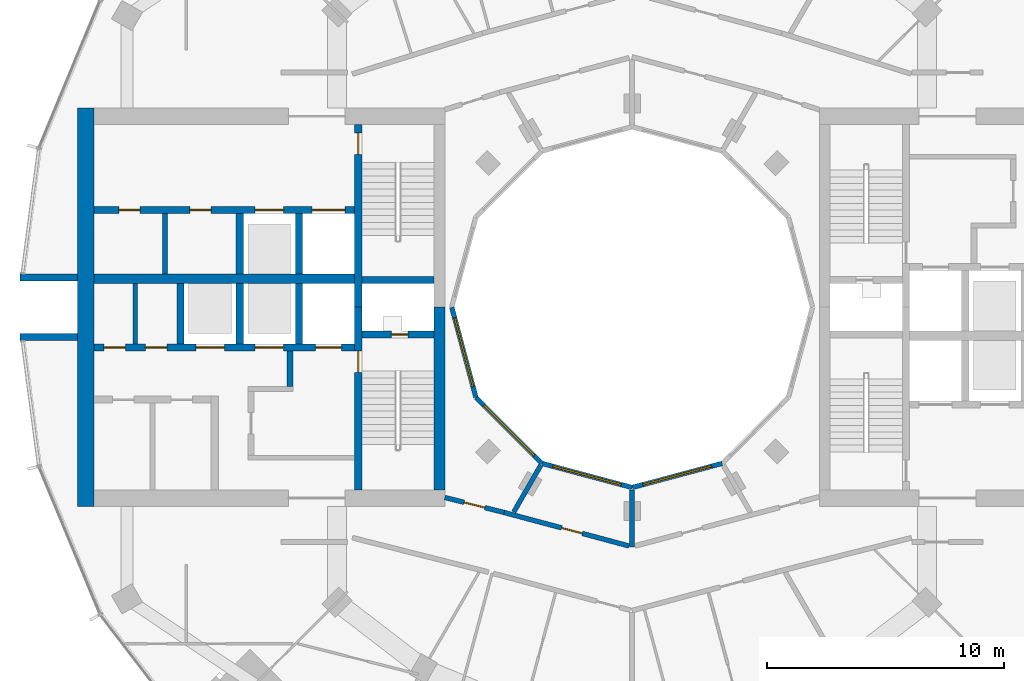
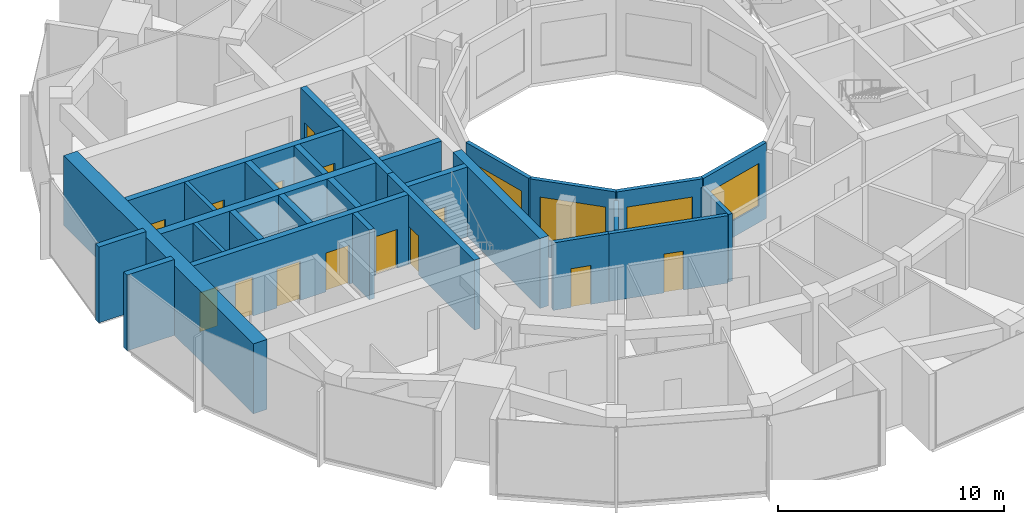
# One storey, part 9 of 15: 27 walls, 14 doors, 4 windows, 18 openings.
"""IFC4 building model written with IfcOpenShell, lengths in metres."""

from ifc_helpers import new_model, si_unit, direction, frame, frame_2d, origin, place, context, subcontext, project, spatial, rectangle, extrude, material, layer, layer_set, type_object, element, fill, save


model = new_model("IFC4")

# Units and contexts
model_context = context("Model", 3, precision=1e-05, world=origin(), true_north=direction((0.0, 1.0)))
body_context = subcontext(model_context, "Body", "Model", "MODEL_VIEW")
ifc_project = project(units=[si_unit("LENGTHUNIT", "METRE"), si_unit("AREAUNIT", "SQUARE_METRE"), si_unit("VOLUMEUNIT", "CUBIC_METRE"), si_unit("PLANEANGLEUNIT", "RADIAN"), si_unit("MASSUNIT", "GRAM", prefix="KILO")], contexts=[model_context])

# Site, building, storey
site_placement = place(None, origin())
site = spatial("IfcSite", under=ifc_project, at=site_placement, CompositionType="ELEMENT")
building_placement = place(site_placement, origin())
building = spatial("IfcBuilding", under=site, at=building_placement, Name="Torre Brocal", CompositionType="ELEMENT")
storey_placement = place(building_placement, frame((0.0, 0.0, 157.699951171875)))
storey = spatial("IfcBuildingStorey", under=building, at=storey_placement, Name="L36", CompositionType="ELEMENT", Elevation=157.699951171875)

# Walls
ifc_material_1 = material(Name="Masonry block", Category="masonry")
ifc_layer_1 = layer(ifc_material_1, 0.199951171875)
ifc_layer_set_1 = layer_set([ifc_layer_1], Name="Masonry block")
wall_type_1 = type_object("IfcWallType", Name="CORE PARTITION 200", PredefinedType="PARTITIONING", material=ifc_layer_set_1)
for number, where, z_axis, x_axis, name in (
    (1, (59.050048828125, 76.0, 0.0), (0.0, 0.0, 1.0), (0.0, -1.0, 0.0), "Wall CP200"),
    (2, (60.300048828125, 78.949951171875, 0.0), (0.0, 0.0, 1.0), (0.0, -1.0, 0.0), "Wall CP200"),
):
    element("IfcWall", number, at=place(storey_placement, frame(where, z_axis=z_axis, x_axis=x_axis)), inside=storey, type_object=wall_type_1, Name=name, PredefinedType="PARTITIONING", context=body_context, shape_type="SweptSolid", body=[
        extrude(rectangle(XDim=2.550048828125, YDim=0.199951171875, at=frame_2d((1.27490234375, 0.0))), origin(), (0.0, 0.0, 1.0), 3.780029296875),
    ])
ifc_material_2 = material(Name="Concrete C70", Category="concrete")
ifc_layer_2 = layer(ifc_material_2, 0.25)
ifc_layer_set_2 = layer_set([ifc_layer_2], Name="Concrete C70")
wall_type_2 = type_object("IfcWallType", Name="CORE WALL 250 C70", PredefinedType="SHEAR", material=ifc_layer_set_2)
wall_1_placement = place(storey_placement, frame((65.574951171875, 73.14990234375, 0.0), z_axis=(0.0, 0.0, 1.0), x_axis=(0.0, -1.0, 0.0)))
element("IfcWall", 3, at=wall_1_placement, inside=storey, type_object=wall_type_2, Name="Wall CW250-70", PredefinedType="SHEAR", context=body_context, shape_type="SweptSolid", body=[
    extrude(rectangle(XDim=1.5, YDim=0.25, at=frame_2d((0.75, 0.0))), origin(), (0.0, 0.0, 1.0), 3.780029296875),
])

# Wall, opening, door
ifc_material_3 = material(Name="Concrete C70", Category="concrete")
ifc_layer_3 = layer(ifc_material_3, 0.300048828125)
ifc_layer_set_3 = layer_set([ifc_layer_3], Name="Concrete C70")
wall_type_3 = type_object("IfcWallType", Name="CORE WALL 300 C70", PredefinedType="SHEAR", material=ifc_layer_set_3)
wall_2_placement = place(storey_placement, frame((68.449951171875, 75.0, 0.0), z_axis=(0.0, 0.0, 1.0), x_axis=(0.0, -1.0, 0.0)))
wall_2 = element("IfcWall", 4, at=wall_2_placement, inside=storey, type_object=wall_type_3, Name="Wall CW300-70", PredefinedType="SHEAR", context=body_context, shape_type="SweptSolid", body=[
    extrude(rectangle(XDim=7.699951171875, YDim=0.300048828125, at=frame_2d((3.85009765625, 0.0))), origin(), (0.0, 0.0, 1.0), 3.780029296875),
])
opening_1_placement = place(wall_2_placement, frame((1.85009765625, 0.0, 0.0)))
opening_1 = element("IfcOpeningElement", 5, at=opening_1_placement, cuts=wall_2, Name="Opening W-D02", PredefinedType="OPENING", context=body_context, shape_type="SweptSolid", body=[
    extrude(rectangle(XDim=0.89990234375, YDim=2.10009765625, at=frame_2d((0.449951171875, 1.050048828125))), frame((0.0, 0.159912109375, 0.0), z_axis=(0.0, -1.0, 0.0), x_axis=(1.0, 0.0, 0.0)), (0.0, 0.0, 1.0), 0.320068359375),
])
ifc_material_4 = material(Name="Steel A653", Category="steel")
door_type_1 = type_object("IfcDoorType", Name="STAIR DOOR FD120 900X2100", OperationType="SINGLE_SWING_RIGHT", PredefinedType="DOOR", material=ifc_material_4)
door_1_placement = place(opening_1_placement, origin())
door_1 = element("IfcDoor", 6, at=door_1_placement, inside=storey, type_object=door_type_1, Name="Door W-D02", OperationType="SINGLE_SWING_LEFT", OverallHeight=2.10009765625, OverallWidth=0.89990234375, PredefinedType="DOOR", context=body_context, shape_type="SweptSolid", body=[
    extrude(rectangle(XDim=0.89990234375, YDim=2.10009765625, at=frame_2d((0.449951171875, 1.050048828125))), frame((0.0, 0.02490234375, 0.0), z_axis=(0.0, -1.0, 0.0), x_axis=(1.0, 0.0, 0.0)), (0.0, 0.0, 1.0), 0.050048828125),
])
fill(opening_1, door_1)

wall_3_placement = place(storey_placement, frame((68.449951171875, 82.699951171875, 0.0), z_axis=(0.0, 0.0, 1.0), x_axis=(0.0, -1.0, 0.0)))
wall_3 = element("IfcWall", 7, at=wall_3_placement, inside=storey, type_object=wall_type_3, Name="Wall CW300-70", PredefinedType="SHEAR", context=body_context, shape_type="SweptSolid", body=[
    extrude(rectangle(XDim=7.699951171875, YDim=0.300048828125, at=frame_2d((3.85009765625, 0.0))), origin(), (0.0, 0.0, 1.0), 3.780029296875),
])
opening_2_placement = place(wall_3_placement, frame((0.35009765625, 0.0, 0.0)))
opening_2 = element("IfcOpeningElement", 8, at=opening_2_placement, cuts=wall_3, Name="Opening W-D03", PredefinedType="OPENING", context=body_context, shape_type="SweptSolid", body=[
    extrude(rectangle(XDim=0.89990234375, YDim=2.10009765625, at=frame_2d((0.449951171875, 1.050048828125))), frame((0.0, 0.159912109375, 0.0), z_axis=(0.0, -1.0, 0.0), x_axis=(1.0, 0.0, 0.0)), (0.0, 0.0, 1.0), 0.320068359375),
])
door_2_placement = place(opening_2_placement, origin())
door_2 = element("IfcDoor", 9, at=door_2_placement, inside=storey, type_object=door_type_1, Name="Door W-D03", OperationType="SINGLE_SWING_LEFT", OverallHeight=2.10009765625, OverallWidth=0.89990234375, PredefinedType="DOOR", context=body_context, shape_type="SweptSolid", body=[
    extrude(rectangle(XDim=0.89990234375, YDim=2.10009765625, at=frame_2d((0.449951171875, 1.050048828125))), frame((0.0, 0.02490234375, 0.0), z_axis=(0.0, -1.0, 0.0), x_axis=(1.0, 0.0, 0.0)), (0.0, 0.0, 1.0), 0.050048828125),
])
fill(opening_2, door_2)

wall_4_placement = place(storey_placement, frame((71.64990234375, 73.85009765625, 0.0), z_axis=(0.0, 0.0, 1.0), x_axis=(-1.0, 0.0, 0.0)))
wall_4 = element("IfcWall", 10, at=wall_4_placement, inside=storey, type_object=wall_type_3, Name="Wall CW300-70", PredefinedType="SHEAR", context=body_context, shape_type="SweptSolid", body=[
    extrude(rectangle(XDim=3.0498046875, YDim=0.300048828125, at=frame_2d((1.52490234375, 0.0))), origin(), (0.0, 0.0, 1.0), 3.780029296875),
])
opening_3_placement = place(wall_4_placement, frame((1.10009765625, 0.0, 0.0)))
opening_3 = element("IfcOpeningElement", 11, at=opening_3_placement, cuts=wall_4, Name="Opening W-D01", PredefinedType="OPENING", context=body_context, shape_type="SweptSolid", body=[
    extrude(rectangle(XDim=0.699951171875, YDim=2.0, at=frame_2d((0.35009765625, 1.0))), frame((0.0, 0.159912109375, 0.0), z_axis=(0.0, -1.0, 0.0), x_axis=(1.0, 0.0, 0.0)), (0.0, 0.0, 1.0), 0.320068359375),
])
ifc_material_5 = material(Name="Steel A653", Category="steel")
door_type_2 = type_object("IfcDoorType", Name="RISER DOOR FD120 700X2000", OperationType="SINGLE_SWING_LEFT", PredefinedType="DOOR", material=ifc_material_5)
door_3_placement = place(opening_3_placement, frame((0.699951171875, 0.0, 0.0), z_axis=(0.0, 0.0, 1.0), x_axis=(-1.0, 0.0, 0.0)))
door_3 = element("IfcDoor", 12, at=door_3_placement, inside=storey, type_object=door_type_2, Name="Door W-D01", OperationType="SINGLE_SWING_RIGHT", OverallHeight=2.0, OverallWidth=0.699951171875, PredefinedType="DOOR", context=body_context, shape_type="SweptSolid", body=[
    extrude(rectangle(XDim=0.699951171875, YDim=2.0, at=frame_2d((0.35009765625, 1.0))), frame((0.0, 0.02490234375, 0.0), z_axis=(0.0, -1.0, 0.0), x_axis=(1.0, 0.0, 0.0)), (0.0, 0.0, 1.0), 0.050048828125),
])
fill(opening_3, door_3)

# Wall
wall_5_placement = place(storey_placement, frame((71.64990234375, 76.14990234375, 0.0), z_axis=(0.0, 0.0, 1.0), x_axis=(-1.0, 0.0, 0.0)))
element("IfcWall", 13, at=wall_5_placement, inside=storey, type_object=wall_type_3, Name="Wall CW300-70", PredefinedType="SHEAR", context=body_context, shape_type="SweptSolid", body=[
    extrude(rectangle(XDim=3.0498046875, YDim=0.300048828125, at=frame_2d((1.52490234375, 0.0))), origin(), (0.0, 0.0, 1.0), 3.780029296875),
])

# Wall, openings, doors
wall_6_placement = place(storey_placement, frame((68.300048828125, 73.300048828125, 0.0), z_axis=(0.0, 0.0, 1.0), x_axis=(-1.0, 0.0, 0.0)))
wall_6 = element("IfcWall", 14, at=wall_6_placement, inside=storey, type_object=wall_type_3, Name="Wall CW300-70", PredefinedType="SHEAR", context=body_context, shape_type="SweptSolid", body=[
    extrude(rectangle(XDim=11.0, YDim=0.300048828125, at=frame_2d((5.5, 0.0))), origin(), (0.0, 0.0, 1.0), 3.780029296875),
])
opening_4_placement = place(wall_6_placement, frame((0.550048828125, 0.0, 0.0)))
opening_4 = element("IfcOpeningElement", 15, at=opening_4_placement, cuts=wall_6, Name="Opening LD", PredefinedType="OPENING", context=body_context, shape_type="SweptSolid", body=[
    extrude(rectangle(XDim=1.10009765625, YDim=2.10009765625, at=frame_2d((0.550048828125, 1.050048828125))), frame((0.0, 0.159912109375, 0.0), z_axis=(0.0, -1.0, 0.0), x_axis=(1.0, 0.0, 0.0)), (0.0, 0.0, 1.0), 0.320068359375),
])
opening_5_placement = place(wall_6_placement, frame((3.0, 0.0, 0.0)))
opening_5 = element("IfcOpeningElement", 16, at=opening_5_placement, cuts=wall_6, Name="Opening LD12", PredefinedType="OPENING", context=body_context, shape_type="SweptSolid", body=[
    extrude(rectangle(XDim=1.199951171875, YDim=2.10009765625, at=frame_2d((0.60009765625, 1.050048828125))), frame((0.0, 0.159912109375, 0.0), z_axis=(0.0, -1.0, 0.0), x_axis=(1.0, 0.0, 0.0)), (0.0, 0.0, 1.0), 0.320068359375),
])
opening_6_placement = place(wall_6_placement, frame((5.5, 0.0, 0.0)))
opening_6 = element("IfcOpeningElement", 17, at=opening_6_placement, cuts=wall_6, Name="Opening LD12", PredefinedType="OPENING", context=body_context, shape_type="SweptSolid", body=[
    extrude(rectangle(XDim=1.199951171875, YDim=2.10009765625, at=frame_2d((0.60009765625, 1.050048828125))), frame((0.0, 0.159912109375, 0.0), z_axis=(0.0, -1.0, 0.0), x_axis=(1.0, 0.0, 0.0)), (0.0, 0.0, 1.0), 0.320068359375),
])
opening_7_placement = place(wall_6_placement, frame((7.925048828125, 0.0, 0.0)))
opening_7 = element("IfcOpeningElement", 18, at=opening_7_placement, cuts=wall_6, Name="Opening W-D04", PredefinedType="OPENING", context=body_context, shape_type="SweptSolid", body=[
    extrude(rectangle(XDim=0.89990234375, YDim=2.10009765625, at=frame_2d((0.449951171875, 1.050048828125))), frame((0.0, 0.159912109375, 0.0), z_axis=(0.0, -1.0, 0.0), x_axis=(1.0, 0.0, 0.0)), (0.0, 0.0, 1.0), 0.320068359375),
])
opening_8_placement = place(wall_6_placement, frame((9.675048828125, 0.0, 0.0)))
opening_8 = element("IfcOpeningElement", 19, at=opening_8_placement, cuts=wall_6, Name="Opening W-D05", PredefinedType="OPENING", context=body_context, shape_type="SweptSolid", body=[
    extrude(rectangle(XDim=0.89990234375, YDim=2.10009765625, at=frame_2d((0.449951171875, 1.050048828125))), frame((0.0, 0.159912109375, 0.0), z_axis=(0.0, -1.0, 0.0), x_axis=(1.0, 0.0, 0.0)), (0.0, 0.0, 1.0), 0.320068359375),
])
ifc_material_6 = material(Name="Stainless steel AISI 316", Category="steel")
door_type_3 = type_object("IfcDoorType", Name="LIFT LANDING DOOR 1100X2100", OperationType="DOUBLE_DOOR_SLIDING", PredefinedType="DOOR", material=ifc_material_6)
door_4_placement = place(opening_4_placement, origin())
door_4 = element("IfcDoor", 20, at=door_4_placement, inside=storey, type_object=door_type_3, Name="Door LD", OperationType="DOUBLE_DOOR_SLIDING", OverallHeight=2.10009765625, OverallWidth=1.10009765625, PredefinedType="DOOR", context=body_context, shape_type="SweptSolid", body=[
    extrude(rectangle(XDim=1.10009765625, YDim=2.10009765625, at=frame_2d((0.550048828125, 1.050048828125))), frame((0.0, 0.02490234375, 0.0), z_axis=(0.0, -1.0, 0.0), x_axis=(1.0, 0.0, 0.0)), (0.0, 0.0, 1.0), 0.050048828125),
])
fill(opening_4, door_4)
ifc_material_7 = material(Name="Stainless steel AISI 316", Category="steel")
door_type_4 = type_object("IfcDoorType", Name="LIFT LANDING DOOR 1200X2100", OperationType="DOUBLE_DOOR_SLIDING", PredefinedType="DOOR", material=ifc_material_7)
door_5_placement = place(opening_5_placement, origin())
door_5 = element("IfcDoor", 21, at=door_5_placement, inside=storey, type_object=door_type_4, Name="Door LD12", OperationType="DOUBLE_DOOR_SLIDING", OverallHeight=2.10009765625, OverallWidth=1.199951171875, PredefinedType="DOOR", context=body_context, shape_type="SweptSolid", body=[
    extrude(rectangle(XDim=1.199951171875, YDim=2.10009765625, at=frame_2d((0.60009765625, 1.050048828125))), frame((0.0, 0.02490234375, 0.0), z_axis=(0.0, -1.0, 0.0), x_axis=(1.0, 0.0, 0.0)), (0.0, 0.0, 1.0), 0.050048828125),
])
fill(opening_5, door_5)
door_6_placement = place(opening_6_placement, origin())
door_6 = element("IfcDoor", 22, at=door_6_placement, inside=storey, type_object=door_type_4, Name="Door LD12", OperationType="DOUBLE_DOOR_SLIDING", OverallHeight=2.10009765625, OverallWidth=1.199951171875, PredefinedType="DOOR", context=body_context, shape_type="SweptSolid", body=[
    extrude(rectangle(XDim=1.199951171875, YDim=2.10009765625, at=frame_2d((0.60009765625, 1.050048828125))), frame((0.0, 0.02490234375, 0.0), z_axis=(0.0, -1.0, 0.0), x_axis=(1.0, 0.0, 0.0)), (0.0, 0.0, 1.0), 0.050048828125),
])
fill(opening_6, door_6)
ifc_material_8 = material(Name="Steel A653", Category="steel")
door_type_5 = type_object("IfcDoorType", Name="ROOM DOOR FD30S 900X2100", OperationType="SINGLE_SWING_LEFT", PredefinedType="DOOR", material=ifc_material_8)
door_7_placement = place(opening_7_placement, frame((0.89990234375, 0.0, 0.0), z_axis=(0.0, 0.0, 1.0), x_axis=(-1.0, 0.0, 0.0)))
door_7 = element("IfcDoor", 23, at=door_7_placement, inside=storey, type_object=door_type_5, Name="Door W-D04", OperationType="SINGLE_SWING_LEFT", OverallHeight=2.10009765625, OverallWidth=0.89990234375, PredefinedType="DOOR", context=body_context, shape_type="SweptSolid", body=[
    extrude(rectangle(XDim=0.89990234375, YDim=2.10009765625, at=frame_2d((0.449951171875, 1.050048828125))), frame((0.0, 0.02490234375, 0.0), z_axis=(0.0, -1.0, 0.0), x_axis=(1.0, 0.0, 0.0)), (0.0, 0.0, 1.0), 0.050048828125),
])
fill(opening_7, door_7)
door_8_placement = place(opening_8_placement, frame((0.89990234375, 0.0, 0.0), z_axis=(0.0, 0.0, 1.0), x_axis=(-1.0, 0.0, 0.0)))
door_8 = element("IfcDoor", 24, at=door_8_placement, inside=storey, type_object=door_type_5, Name="Door W-D05", OperationType="SINGLE_SWING_RIGHT", OverallHeight=2.10009765625, OverallWidth=0.89990234375, PredefinedType="DOOR", context=body_context, shape_type="SweptSolid", body=[
    extrude(rectangle(XDim=0.89990234375, YDim=2.10009765625, at=frame_2d((0.449951171875, 1.050048828125))), frame((0.0, 0.02490234375, 0.0), z_axis=(0.0, -1.0, 0.0), x_axis=(1.0, 0.0, 0.0)), (0.0, 0.0, 1.0), 0.050048828125),
])
fill(opening_8, door_8)

wall_7_placement = place(storey_placement, frame((68.300048828125, 79.10009765625, 0.0), z_axis=(0.0, 0.0, 1.0), x_axis=(-1.0, 0.0, 0.0)))
wall_7 = element("IfcWall", 25, at=wall_7_placement, inside=storey, type_object=wall_type_3, Name="Wall CW300-70", PredefinedType="SHEAR", context=body_context, shape_type="SweptSolid", body=[
    extrude(rectangle(XDim=11.0, YDim=0.300048828125, at=frame_2d((5.5, 0.0))), origin(), (0.0, 0.0, 1.0), 3.780029296875),
])
opening_9_placement = place(wall_7_placement, frame((0.39990234375, 0.0, 0.0)))
opening_9 = element("IfcOpeningElement", 26, at=opening_9_placement, cuts=wall_7, Name="Opening LD14", PredefinedType="OPENING", context=body_context, shape_type="SweptSolid", body=[
    extrude(rectangle(XDim=1.39990234375, YDim=2.10009765625, at=frame_2d((0.699951171875, 1.050048828125))), frame((0.0, 0.159912109375, 0.0), z_axis=(0.0, -1.0, 0.0), x_axis=(1.0, 0.0, 0.0)), (0.0, 0.0, 1.0), 0.320068359375),
])
opening_10_placement = place(wall_7_placement, frame((3.0, 0.0, 0.0)))
opening_10 = element("IfcOpeningElement", 27, at=opening_10_placement, cuts=wall_7, Name="Opening LD12", PredefinedType="OPENING", context=body_context, shape_type="SweptSolid", body=[
    extrude(rectangle(XDim=1.199951171875, YDim=2.10009765625, at=frame_2d((0.60009765625, 1.050048828125))), frame((0.0, 0.159912109375, 0.0), z_axis=(0.0, -1.0, 0.0), x_axis=(1.0, 0.0, 0.0)), (0.0, 0.0, 1.0), 0.320068359375),
])
opening_11_placement = place(wall_7_placement, frame((6.050048828125, 0.0, 0.0)))
opening_11 = element("IfcOpeningElement", 28, at=opening_11_placement, cuts=wall_7, Name="Opening W-D06", PredefinedType="OPENING", context=body_context, shape_type="SweptSolid", body=[
    extrude(rectangle(XDim=0.89990234375, YDim=2.10009765625, at=frame_2d((0.449951171875, 1.050048828125))), frame((0.0, 0.159912109375, 0.0), z_axis=(0.0, -1.0, 0.0), x_axis=(1.0, 0.0, 0.0)), (0.0, 0.0, 1.0), 0.320068359375),
])
opening_12_placement = place(wall_7_placement, frame((9.050048828125, 0.0, 0.0)))
opening_12 = element("IfcOpeningElement", 29, at=opening_12_placement, cuts=wall_7, Name="Opening W-D07", PredefinedType="OPENING", context=body_context, shape_type="SweptSolid", body=[
    extrude(rectangle(XDim=0.89990234375, YDim=2.10009765625, at=frame_2d((0.449951171875, 1.050048828125))), frame((0.0, 0.159912109375, 0.0), z_axis=(0.0, -1.0, 0.0), x_axis=(1.0, 0.0, 0.0)), (0.0, 0.0, 1.0), 0.320068359375),
])
door_9_placement = place(opening_10_placement, origin())
door_9 = element("IfcDoor", 30, at=door_9_placement, inside=storey, type_object=door_type_4, Name="Door LD12", OperationType="DOUBLE_DOOR_SLIDING", OverallHeight=2.10009765625, OverallWidth=1.199951171875, PredefinedType="DOOR", context=body_context, shape_type="SweptSolid", body=[
    extrude(rectangle(XDim=1.199951171875, YDim=2.10009765625, at=frame_2d((0.60009765625, 1.050048828125))), frame((0.0, 0.02490234375, 0.0), z_axis=(0.0, -1.0, 0.0), x_axis=(1.0, 0.0, 0.0)), (0.0, 0.0, 1.0), 0.050048828125),
])
fill(opening_10, door_9)
ifc_material_9 = material(Name="Stainless steel AISI 316", Category="steel")
door_type_6 = type_object("IfcDoorType", Name="LIFT LANDING DOOR 1400X2100", OperationType="DOUBLE_DOOR_SLIDING", PredefinedType="DOOR", material=ifc_material_9)
door_10_placement = place(opening_9_placement, origin())
door_10 = element("IfcDoor", 31, at=door_10_placement, inside=storey, type_object=door_type_6, Name="Door LD14", OperationType="DOUBLE_DOOR_SLIDING", OverallHeight=2.10009765625, OverallWidth=1.39990234375, PredefinedType="DOOR", context=body_context, shape_type="SweptSolid", body=[
    extrude(rectangle(XDim=1.39990234375, YDim=2.10009765625, at=frame_2d((0.699951171875, 1.050048828125))), frame((0.0, 0.02490234375, 0.0), z_axis=(0.0, -1.0, 0.0), x_axis=(1.0, 0.0, 0.0)), (0.0, 0.0, 1.0), 0.050048828125),
])
fill(opening_9, door_10)
door_11_placement = place(opening_11_placement, origin())
door_11 = element("IfcDoor", 32, at=door_11_placement, inside=storey, type_object=door_type_5, Name="Door W-D06", OperationType="SINGLE_SWING_RIGHT", OverallHeight=2.10009765625, OverallWidth=0.89990234375, PredefinedType="DOOR", context=body_context, shape_type="SweptSolid", body=[
    extrude(rectangle(XDim=0.89990234375, YDim=2.10009765625, at=frame_2d((0.449951171875, 1.050048828125))), frame((0.0, 0.02490234375, 0.0), z_axis=(0.0, -1.0, 0.0), x_axis=(1.0, 0.0, 0.0)), (0.0, 0.0, 1.0), 0.050048828125),
])
fill(opening_11, door_11)
door_12_placement = place(opening_12_placement, origin())
door_12 = element("IfcDoor", 33, at=door_12_placement, inside=storey, type_object=door_type_5, Name="Door W-D07", OperationType="SINGLE_SWING_LEFT", OverallHeight=2.10009765625, OverallWidth=0.89990234375, PredefinedType="DOOR", context=body_context, shape_type="SweptSolid", body=[
    extrude(rectangle(XDim=0.89990234375, YDim=2.10009765625, at=frame_2d((0.449951171875, 1.050048828125))), frame((0.0, 0.02490234375, 0.0), z_axis=(0.0, -1.0, 0.0), x_axis=(1.0, 0.0, 0.0)), (0.0, 0.0, 1.0), 0.050048828125),
])
fill(opening_12, door_12)

# Walls
for number, where, z_axis, x_axis, name in (
    (34, (65.949951171875, 76.0, 0.0), (0.0, 0.0, 1.0), (0.0, -1.0, 0.0), "Wall CW300-70"),
    (35, (63.449951171875, 76.0, 0.0), (0.0, 0.0, 1.0), (0.0, -1.0, 0.0), "Wall CW300-70"),
    (36, (60.949951171875, 76.0, 0.0), (0.0, 0.0, 1.0), (0.0, -1.0, 0.0), "Wall CW300-70"),
    (37, (65.949951171875, 78.949951171875, 0.0), (0.0, 0.0, 1.0), (0.0, -1.0, 0.0), "Wall CW300-70"),
    (38, (63.449951171875, 78.949951171875, 0.0), (0.0, 0.0, 1.0), (0.0, -1.0, 0.0), "Wall CW300-70"),
):
    element("IfcWall", number, at=place(storey_placement, frame(where, z_axis=z_axis, x_axis=x_axis)), inside=storey, type_object=wall_type_3, Name=name, PredefinedType="SHEAR", context=body_context, shape_type="SweptSolid", body=[
        extrude(rectangle(XDim=2.550048828125, YDim=0.300048828125, at=frame_2d((1.27490234375, 0.0))), origin(), (0.0, 0.0, 1.0), 3.780029296875),
    ])
ifc_material_10 = material(Name="Concrete C70", Category="concrete")
ifc_layer_4 = layer(ifc_material_10, 0.39990234375)
ifc_layer_set_4 = layer_set([ifc_layer_4], Name="Concrete C70")
wall_type_4 = type_object("IfcWallType", Name="CORE WALL 400 C70", PredefinedType="SHEAR", material=ifc_layer_set_4)
wall_8_placement = place(storey_placement, frame((68.300048828125, 76.199951171875, 0.0), z_axis=(0.0, 0.0, 1.0), x_axis=(-1.0, 0.0, 0.0)))
element("IfcWall", 39, at=wall_8_placement, inside=storey, type_object=wall_type_4, Name="Wall CW400-70", PredefinedType="SHEAR", context=body_context, shape_type="SweptSolid", body=[
    extrude(rectangle(XDim=11.0, YDim=0.39990234375, at=frame_2d((5.5, 0.0))), origin(), (0.0, 0.0, 1.0), 3.780029296875),
])
ifc_material_11 = material(Name="Concrete C70", Category="concrete")
ifc_layer_5 = layer(ifc_material_11, 0.449951171875)
ifc_layer_set_5 = layer_set([ifc_layer_5], Name="Concrete C70")
wall_type_5 = type_object("IfcWallType", Name="CORE WALL 450 C70", PredefinedType="SHEAR", material=ifc_layer_set_5)
wall_9_placement = place(storey_placement, frame((71.875, 75.0, 0.0), z_axis=(0.0, 0.0, 1.0), x_axis=(0.0, -1.0, 0.0)))
element("IfcWall", 40, at=wall_9_placement, inside=storey, type_object=wall_type_5, Name="Wall CW450-70", PredefinedType="SHEAR", context=body_context, shape_type="SweptSolid", body=[
    extrude(rectangle(XDim=7.699951171875, YDim=0.449951171875, at=frame_2d((3.85009765625, 0.0))), origin(), (0.0, 0.0, 1.0), 3.780029296875),
])
ifc_material_12 = material(Name="Concrete C70", Category="concrete")
ifc_layer_6 = layer(ifc_material_12, 0.699951171875)
ifc_layer_set_6 = layer_set([ifc_layer_6], Name="Concrete C70")
wall_type_6 = type_object("IfcWallType", Name="CORE WALL 700 C70", PredefinedType="SHEAR", material=ifc_layer_set_6)
wall_10_placement = place(storey_placement, frame((56.949951171875, 83.39990234375, 0.0), z_axis=(0.0, 0.0, 1.0), x_axis=(0.0, -1.0, 0.0)))
element("IfcWall", 41, at=wall_10_placement, inside=storey, type_object=wall_type_6, Name="Wall CW700-70", PredefinedType="SHEAR", context=body_context, shape_type="SweptSolid", body=[
    extrude(rectangle(XDim=16.7998046875, YDim=0.699951171875, at=frame_2d((8.39990234375, 0.0))), origin(), (0.0, 0.0, 1.0), 3.780029296875),
])
ifc_material_13 = material(Name="Concrete C70", Category="concrete")
ifc_layer_7 = layer(ifc_material_13, 0.300048828125)
ifc_layer_set_7 = layer_set([ifc_layer_7], Name="Concrete C70")
wall_type_7 = type_object("IfcWallType", Name="NOTCH RETURN WALL 300 C70", PredefinedType="NOTDEFINED", material=ifc_layer_set_7)
for number, where, z_axis, x_axis, name in (
    (42, (56.60009765625, 76.25, 0.0), (0.0, 0.0, 1.0), (-1.0, 0.0, 0.0), "NOTCH RETURN WALL"),
    (43, (56.60009765625, 73.75, 0.0), (0.0, 0.0, 1.0), (-1.0, 0.0, 0.0), "NOTCH RETURN WALL"),
):
    element("IfcWall", number, at=place(storey_placement, frame(where, z_axis=z_axis, x_axis=x_axis)), inside=storey, type_object=wall_type_7, Name=name, PredefinedType="NOTDEFINED", context=body_context, shape_type="SweptSolid", body=[
        extrude(rectangle(XDim=2.415771484375, YDim=0.300048828125, at=frame_2d((1.2080078125, 0.0))), origin(), (0.0, 0.0, 1.0), 4.10009765625),
    ])

# Wall, opening, door
ifc_material_14 = material(Name="Gypsum board", Category="Gypsum")
ifc_layer_8 = layer(ifc_material_14, 0.199951171875)
ifc_layer_set_8 = layer_set([ifc_layer_8], Name="Gypsum board")
wall_type_8 = type_object("IfcWallType", Name="PARTITION 200 EI60", PredefinedType="PARTITIONING", material=ifc_layer_set_8)
wall_11_placement = place(storey_placement, frame((72.10009765625, 66.97509765625, 0.0), z_axis=(0.0, 0.0, 1.0), x_axis=(0.969471314457, -0.245204752086, 0.0)))
wall_11 = element("IfcWall", 44, at=wall_11_placement, inside=storey, type_object=wall_type_8, Name="CORRIDOR WALL", PredefinedType="PARTITIONING", context=body_context, shape_type="SweptSolid", body=[
    extrude(rectangle(XDim=2.581787109375, YDim=0.199951171875, at=frame_2d((1.291015625, 0.0))), origin(), (0.0, 0.0, 1.0), 3.650146484375),
])
opening_13_placement = place(wall_11_placement, frame((0.8408203125, 0.0, 0.0)))
opening_13 = element("IfcOpeningElement", 45, at=opening_13_placement, cuts=wall_11, Name="Opening R01-D38", PredefinedType="OPENING", context=body_context, shape_type="SweptSolid", body=[
    extrude(rectangle(XDim=0.89990234375, YDim=2.10009765625, at=frame_2d((0.449951171875, 1.050048828125))), frame((0.0, 0.10986328125, 0.0), z_axis=(0.0, -1.0, 0.0), x_axis=(1.0, 0.0, 0.0)), (0.0, 0.0, 1.0), 0.219970703125),
])
ifc_material_15 = material(Name="Timber", Category="wood")
door_type_7 = type_object("IfcDoorType", Name="ROOM DOOR 900X2100", OperationType="SINGLE_SWING_LEFT", PredefinedType="DOOR", material=ifc_material_15)
door_13_placement = place(opening_13_placement, origin())
door_13 = element("IfcDoor", 46, at=door_13_placement, inside=storey, type_object=door_type_7, Name="R01-D38", OperationType="SINGLE_SWING_LEFT", OverallHeight=2.10009765625, OverallWidth=0.89990234375, PredefinedType="DOOR", context=body_context, shape_type="SweptSolid", body=[
    extrude(rectangle(XDim=0.89990234375, YDim=2.10009765625, at=frame_2d((0.449951171875, 1.050048828125))), frame((0.0, 0.02490234375, 0.0), z_axis=(0.0, -1.0, 0.0), x_axis=(1.0, 0.0, 0.0)), (0.0, 0.0, 1.0), 0.050048828125),
])
fill(opening_13, door_13)

wall_12_placement = place(storey_placement, frame((74.60302734375, 66.342041015625, 0.0), z_axis=(0.0, 0.0, 1.0), x_axis=(0.965920893652, -0.258837453254, 0.0)))
wall_12 = element("IfcWall", 47, at=wall_12_placement, inside=storey, type_object=wall_type_8, Name="CORRIDOR WALL", PredefinedType="PARTITIONING", context=body_context, shape_type="SweptSolid", body=[
    extrude(rectangle(XDim=5.45751953125, YDim=0.199951171875, at=frame_2d((2.728759765625, 0.0))), origin(), (0.0, 0.0, 1.0), 3.650146484375),
])
opening_14_placement = place(wall_12_placement, frame((2.512451171875, 0.0, 0.0)))
opening_14 = element("IfcOpeningElement", 48, at=opening_14_placement, cuts=wall_12, Name="Opening R01-D37", PredefinedType="OPENING", context=body_context, shape_type="SweptSolid", body=[
    extrude(rectangle(XDim=0.89990234375, YDim=2.10009765625, at=frame_2d((0.449951171875, 1.050048828125))), frame((0.0, 0.10986328125, 0.0), z_axis=(0.0, -1.0, 0.0), x_axis=(1.0, 0.0, 0.0)), (0.0, 0.0, 1.0), 0.219970703125),
])
door_14_placement = place(opening_14_placement, origin())
door_14 = element("IfcDoor", 49, at=door_14_placement, inside=storey, type_object=door_type_7, Name="R01-D37", OperationType="SINGLE_SWING_LEFT", OverallHeight=2.10009765625, OverallWidth=0.89990234375, PredefinedType="DOOR", context=body_context, shape_type="SweptSolid", body=[
    extrude(rectangle(XDim=0.89990234375, YDim=2.10009765625, at=frame_2d((0.449951171875, 1.050048828125))), frame((0.0, 0.02490234375, 0.0), z_axis=(0.0, -1.0, 0.0), x_axis=(1.0, 0.0, 0.0)), (0.0, 0.0, 1.0), 0.050048828125),
])
fill(opening_14, door_14)

# Walls
wall_13_placement = place(storey_placement, frame((75.010009765625, 66.3642578125, 0.0), z_axis=(0.0, 0.0, 1.0), x_axis=(0.50017749597, 0.865922902183, 0.0)))
element("IfcWall", 50, at=wall_13_placement, inside=storey, type_object=wall_type_8, Name="PARTY PARTITION", PredefinedType="PARTITIONING", context=body_context, shape_type="SweptSolid", body=[
    extrude(rectangle(XDim=2.275634765625, YDim=0.199951171875, at=frame_2d((1.1376953125, 0.0))), origin(), (0.0, 0.0, 1.0), 3.650146484375),
])
wall_14_placement = place(storey_placement, frame((80.0, 64.89599609375, 0.0), z_axis=(0.0, 0.0, 1.0), x_axis=(0.0, 1.0, 0.0)))
element("IfcWall", 51, at=wall_14_placement, inside=storey, type_object=wall_type_8, Name="SERVICE ROOM WALL", PredefinedType="PARTITIONING", context=body_context, shape_type="SweptSolid", body=[
    extrude(rectangle(XDim=2.405029296875, YDim=0.199951171875, at=frame_2d((1.20263671875, 0.0))), origin(), (0.0, 0.0, 1.0), 3.650146484375),
])

# Wall, opening, window
ifc_material_16 = material(Name="Concrete C40", Category="concrete")
ifc_layer_9 = layer(ifc_material_16, 0.199951171875)
ifc_layer_set_9 = layer_set([ifc_layer_9], Name="Concrete C40")
wall_type_9 = type_object("IfcWallType", Name="WELL FACADE WALL 200", PredefinedType="NOTDEFINED", material=ifc_layer_set_9)
wall_15_placement = place(storey_placement, frame((72.396484375, 75.0, 0.0), z_axis=(0.0, 0.0, 1.0), x_axis=(0.258789828301, -0.965933654434, 0.0)))
wall_15 = element("IfcWall", 52, at=wall_15_placement, inside=storey, type_object=wall_type_9, Name="WELL FACADE WALL", PredefinedType="NOTDEFINED", context=body_context, shape_type="SweptSolid", body=[
    extrude(rectangle(XDim=3.935791015625, YDim=0.199951171875, at=frame_2d((1.9677734375, 0.0))), origin(), (0.0, 0.0, 1.0), 4.10009765625),
])
opening_15_placement = place(wall_15_placement, frame((0.468017578125, 0.0, 0.89990234375)))
opening_15 = element("IfcOpeningElement", 53, at=opening_15_placement, cuts=wall_15, Name="Opening W1", PredefinedType="OPENING", context=body_context, shape_type="SweptSolid", body=[
    extrude(rectangle(XDim=3.0, YDim=2.300048828125, at=frame_2d((1.5, 1.14990234375))), frame((0.0, 0.10986328125, 0.0), z_axis=(0.0, -1.0, 0.0), x_axis=(1.0, 0.0, 0.0)), (0.0, 0.0, 1.0), 0.219970703125),
])
ifc_material_17 = material(Name="Aluminium and glass", Category="aluminium")
window_type = type_object("IfcWindowType", Name="WELL WINDOW 3000X2300", PartitioningType="SINGLE_PANEL", PredefinedType="WINDOW", material=ifc_material_17)
window_1_placement = place(opening_15_placement, origin())
window_1 = element("IfcWindow", 54, at=window_1_placement, inside=storey, type_object=window_type, Name="WELL WINDOW 3000X2300", OverallHeight=2.300048828125, OverallWidth=3.0, PartitioningType="SINGLE_PANEL", PredefinedType="WINDOW", context=body_context, shape_type="SweptSolid", body=[
    extrude(rectangle(XDim=3.0, YDim=2.300048828125, at=frame_2d((1.5, 1.14990234375))), frame((0.0, 0.030029296875, 0.0), z_axis=(0.0, -1.0, 0.0), x_axis=(1.0, 0.0, 0.0)), (0.0, 0.0, 1.0), 0.06005859375),
])
fill(opening_15, window_1)

wall_16_placement = place(storey_placement, frame((73.4150390625, 71.1982421875, 0.0), z_axis=(0.0, 0.0, 1.0), x_axis=(0.707106781187, -0.707106781187, 0.0)))
wall_16 = element("IfcWall", 55, at=wall_16_placement, inside=storey, type_object=wall_type_9, Name="WELL FACADE WALL", PredefinedType="NOTDEFINED", context=body_context, shape_type="SweptSolid", body=[
    extrude(rectangle(XDim=3.93603515625, YDim=0.199951171875, at=frame_2d((1.968017578125, 0.0))), origin(), (0.0, 0.0, 1.0), 4.10009765625),
])
opening_16_placement = place(wall_16_placement, frame((0.468017578125, 0.0, 0.89990234375)))
opening_16 = element("IfcOpeningElement", 56, at=opening_16_placement, cuts=wall_16, Name="Opening W1", PredefinedType="OPENING", context=body_context, shape_type="SweptSolid", body=[
    extrude(rectangle(XDim=3.0, YDim=2.300048828125, at=frame_2d((1.5, 1.14990234375))), frame((0.0, 0.10986328125, 0.0), z_axis=(0.0, -1.0, 0.0), x_axis=(1.0, 0.0, 0.0)), (0.0, 0.0, 1.0), 0.219970703125),
])
window_2_placement = place(opening_16_placement, origin())
window_2 = element("IfcWindow", 57, at=window_2_placement, inside=storey, type_object=window_type, Name="WELL WINDOW 3000X2300", OverallHeight=2.300048828125, OverallWidth=3.0, PartitioningType="SINGLE_PANEL", PredefinedType="WINDOW", context=body_context, shape_type="SweptSolid", body=[
    extrude(rectangle(XDim=3.0, YDim=2.300048828125, at=frame_2d((1.5, 1.14990234375))), frame((0.0, 0.030029296875, 0.0), z_axis=(0.0, -1.0, 0.0), x_axis=(1.0, 0.0, 0.0)), (0.0, 0.0, 1.0), 0.06005859375),
])
fill(opening_16, window_2)

wall_17_placement = place(storey_placement, frame((76.1982421875, 68.4150390625, 0.0), z_axis=(0.0, 0.0, 1.0), x_axis=(0.965933654434, -0.258789828301, 0.0)))
wall_17 = element("IfcWall", 58, at=wall_17_placement, inside=storey, type_object=wall_type_9, Name="WELL FACADE WALL", PredefinedType="NOTDEFINED", context=body_context, shape_type="SweptSolid", body=[
    extrude(rectangle(XDim=3.935791015625, YDim=0.199951171875, at=frame_2d((1.9677734375, 0.0))), origin(), (0.0, 0.0, 1.0), 4.10009765625),
])
opening_17_placement = place(wall_17_placement, frame((0.468017578125, 0.0, 0.89990234375)))
opening_17 = element("IfcOpeningElement", 59, at=opening_17_placement, cuts=wall_17, Name="Opening W1", PredefinedType="OPENING", context=body_context, shape_type="SweptSolid", body=[
    extrude(rectangle(XDim=3.0, YDim=2.300048828125, at=frame_2d((1.5, 1.14990234375))), frame((0.0, 0.10986328125, 0.0), z_axis=(0.0, -1.0, 0.0), x_axis=(1.0, 0.0, 0.0)), (0.0, 0.0, 1.0), 0.219970703125),
])
window_3_placement = place(opening_17_placement, origin())
window_3 = element("IfcWindow", 60, at=window_3_placement, inside=storey, type_object=window_type, Name="WELL WINDOW 3000X2300", OverallHeight=2.300048828125, OverallWidth=3.0, PartitioningType="SINGLE_PANEL", PredefinedType="WINDOW", context=body_context, shape_type="SweptSolid", body=[
    extrude(rectangle(XDim=3.0, YDim=2.300048828125, at=frame_2d((1.5, 1.14990234375))), frame((0.0, 0.030029296875, 0.0), z_axis=(0.0, -1.0, 0.0), x_axis=(1.0, 0.0, 0.0)), (0.0, 0.0, 1.0), 0.06005859375),
])
fill(opening_17, window_3)

wall_18_placement = place(storey_placement, frame((80.0, 67.396484375, 0.0), z_axis=(0.0, 0.0, 1.0), x_axis=(0.965933654434, 0.258789828301, 0.0)))
wall_18 = element("IfcWall", 61, at=wall_18_placement, inside=storey, type_object=wall_type_9, Name="WELL FACADE WALL", PredefinedType="NOTDEFINED", context=body_context, shape_type="SweptSolid", body=[
    extrude(rectangle(XDim=3.935791015625, YDim=0.199951171875, at=frame_2d((1.9677734375, 0.0))), origin(), (0.0, 0.0, 1.0), 4.10009765625),
])
opening_18_placement = place(wall_18_placement, frame((0.468017578125, 0.0, 0.89990234375)))
opening_18 = element("IfcOpeningElement", 62, at=opening_18_placement, cuts=wall_18, Name="Opening W1", PredefinedType="OPENING", context=body_context, shape_type="SweptSolid", body=[
    extrude(rectangle(XDim=3.0, YDim=2.300048828125, at=frame_2d((1.5, 1.14990234375))), frame((0.0, 0.10986328125, 0.0), z_axis=(0.0, -1.0, 0.0), x_axis=(1.0, 0.0, 0.0)), (0.0, 0.0, 1.0), 0.219970703125),
])
window_4_placement = place(opening_18_placement, origin())
window_4 = element("IfcWindow", 63, at=window_4_placement, inside=storey, type_object=window_type, Name="WELL WINDOW 3000X2300", OverallHeight=2.300048828125, OverallWidth=3.0, PartitioningType="SINGLE_PANEL", PredefinedType="WINDOW", context=body_context, shape_type="SweptSolid", body=[
    extrude(rectangle(XDim=3.0, YDim=2.300048828125, at=frame_2d((1.5, 1.14990234375))), frame((0.0, 0.030029296875, 0.0), z_axis=(0.0, -1.0, 0.0), x_axis=(1.0, 0.0, 0.0)), (0.0, 0.0, 1.0), 0.06005859375),
])
fill(opening_18, window_4)

save(model, "model.ifc")
